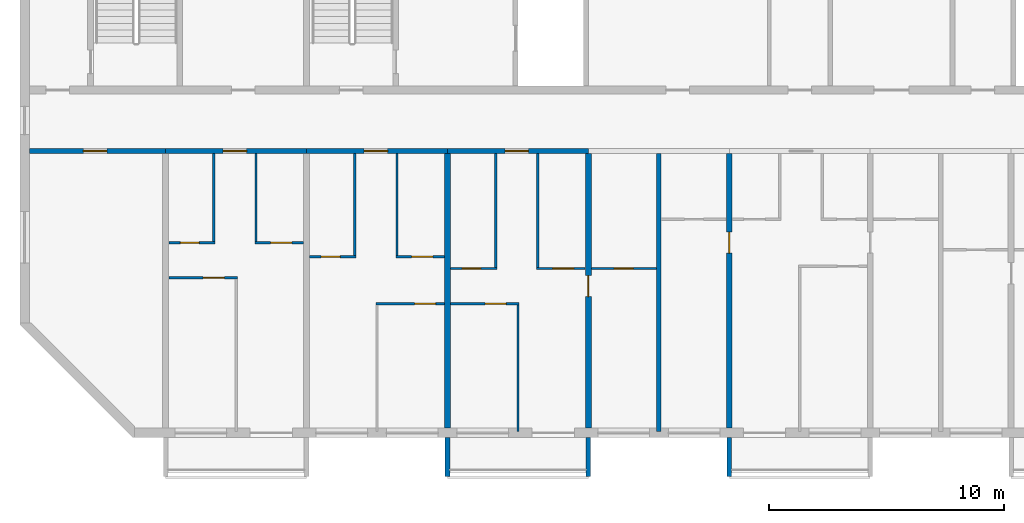
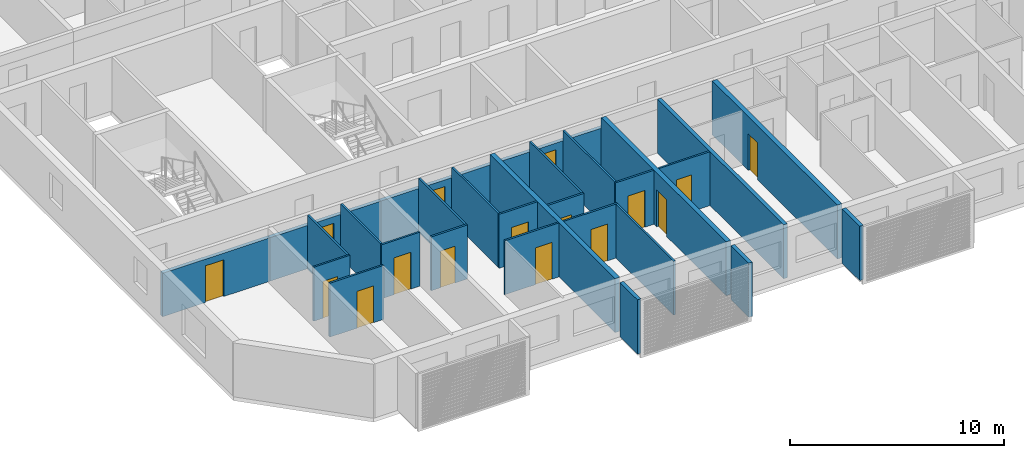
# One storey, part 2 of 26: 28 walls, 16 doors, 16 openings.
"""IFC4 building model written with IfcOpenShell, lengths in metres."""

import ifcopenshell
import ifcopenshell.guid

model = None  # the IFC model being written
_history = None  # IfcOwnerHistory: only IFC2X3 demands one
_inside = {}  # id of a spatial element -> (the spatial element, [elements in it])
_under = {}  # id of a project, library or spatial element -> (it, [spatial elements below it])
_declared = {}  # id of a project -> (the project, [libraries it declares])
_typed = {}  # id of a type object -> (the type object, [elements of that type])
_made_of = {}  # id of a material, layer set ... -> (it, [elements and type objects made of it])


def new_model(schema):
    """Start an empty IFC model of exactly this schema.

    Asked for "IFC4X3", IfcOpenShell would pick the latest addendum, in which some entities
    have other attributes; the version numbers below select the first issue.
    IFC2X3 requires an IfcOwnerHistory on every rooted entity: one is made here for all.
    """
    global model, _history
    if schema == "IFC4X3":
        model = ifcopenshell.file(schema_version=(4, 3, 0, 0))
    else:
        model = ifcopenshell.file(schema=schema)
    _inside.clear()
    _under.clear()
    _declared.clear()
    _typed.clear()
    _made_of.clear()
    _history = None
    if model.schema == "IFC2X3":
        org = make("IfcOrganization", Name="unknown")
        user = make(
            "IfcPersonAndOrganization",
            ThePerson=make("IfcPerson", FamilyName="unknown"),
            TheOrganization=org,
        )
        app = make(
            "IfcApplication",
            ApplicationDeveloper=org,
            Version="unknown",
            ApplicationFullName="unknown",
            ApplicationIdentifier="unknown",
        )
        _history = make(
            "IfcOwnerHistory",
            OwningUser=user,
            OwningApplication=app,
            ChangeAction="ADDED",
            CreationDate=0,
        )
    return model


def make(cls, **values):
    """One entity of the class cls with the attributes given. An attribute that is None is left unset."""
    return model.create_entity(
        cls, **{name: value for name, value in values.items() if value is not None}
    )


def rooted(cls, **values):
    """An entity with a GlobalId (a new one), such as an element, a storey or a relation."""
    return make(cls, GlobalId=ifcopenshell.guid.new(), OwnerHistory=_history, **values)


def si_unit(unit_type, name, prefix=None):
    """IfcSIUnit, for example si_unit("LENGTHUNIT", "METRE", prefix="MILLI")."""
    return make("IfcSIUnit", UnitType=unit_type, Prefix=prefix, Name=name)


def assignment(units):
    """IfcUnitAssignment: the units of a project."""
    return None if units is None else make("IfcUnitAssignment", Units=units)


def point(xyz):
    """IfcCartesianPoint."""
    return None if xyz is None else make("IfcCartesianPoint", Coordinates=xyz)


def direction(xyz):
    """IfcDirection."""
    return None if xyz is None else make("IfcDirection", DirectionRatios=xyz)


def frame(location, z_axis=None, x_axis=None):
    """IfcAxis2Placement3D, a coordinate frame: its origin and axes. An axis left out is left unset."""
    return make(
        "IfcAxis2Placement3D",
        Location=point(location),
        Axis=direction(z_axis),
        RefDirection=direction(x_axis),
    )


def frame_2d(location, x_axis=None):
    """IfcAxis2Placement2D, a coordinate frame in the plane: its origin and x axis."""
    return make(
        "IfcAxis2Placement2D", Location=point(location), RefDirection=direction(x_axis)
    )


def origin():
    """The frame at (0, 0, 0) with its axes left unset."""
    return frame((0.0, 0.0, 0.0))


def place(relative_to, where):
    """IfcLocalPlacement: puts the frame where relative to a parent placement (None: the world)."""
    return make(
        "IfcLocalPlacement", PlacementRelTo=relative_to, RelativePlacement=where
    )


def context(
    kind, dimensions, precision=None, world=None, true_north=None, identifier=None
):
    """IfcGeometricRepresentationContext, for example the 3D "Model" context."""
    return make(
        "IfcGeometricRepresentationContext",
        ContextIdentifier=identifier,
        ContextType=kind,
        CoordinateSpaceDimension=dimensions,
        Precision=precision,
        WorldCoordinateSystem=world,
        TrueNorth=true_north,
    )


def subcontext(parent, identifier, kind, view, scale=None):
    """IfcGeometricRepresentationSubContext, for example "Body" below "Model"."""
    return make(
        "IfcGeometricRepresentationSubContext",
        ContextIdentifier=identifier,
        ContextType=kind,
        ParentContext=parent,
        TargetScale=scale,
        TargetView=view,
    )


def project(units=None, contexts=None):
    """IfcProject with its units and contexts."""
    return rooted(
        "IfcProject",
        Name="project",
        RepresentationContexts=contexts,
        UnitsInContext=assignment(units),
    )


def spatial(cls, under=None, at=None, **own):
    """A site, building, storey or space (cls), placed at a placement, below another one or the project."""
    s = rooted(cls, ObjectPlacement=at, **own)
    if under is not None:
        _under.setdefault(under.id(), (under, []))[1].append(s)
    return s


def polyline(points):
    """IfcPolyline through the points."""
    return make("IfcPolyline", Points=[point(p) for p in points])


def profile(cls, at=None, kind="AREA", **sizes):
    """A parametric profile (cls). Its sizes go by their IFC names, for example OverallWidth=200.0."""
    return make(cls, ProfileType=kind, Position=at, **sizes)


def rectangle(**sizes):
    """IfcRectangleProfileDef."""
    return profile("IfcRectangleProfileDef", **sizes)


def outline(outer, holes=None, kind="AREA"):
    """IfcArbitraryClosedProfileDef: a profile drawn as a closed curve; with holes, ...WithVoids."""
    if holes is None:
        return make("IfcArbitraryClosedProfileDef", ProfileType=kind, OuterCurve=outer)
    return make(
        "IfcArbitraryProfileDefWithVoids",
        ProfileType=kind,
        OuterCurve=outer,
        InnerCurves=holes,
    )


def extrude(swept, where, along, depth):
    """IfcExtrudedAreaSolid: the profile swept, set in the frame where, extruded along a direction by depth."""
    return make(
        "IfcExtrudedAreaSolid",
        SweptArea=swept,
        Position=where,
        ExtrudedDirection=direction(along),
        Depth=depth,
    )


def shape(context_of_items, identifier, shape_type, items):
    """IfcShapeRepresentation: the items that make up one representation, for example the "Body"."""
    return make(
        "IfcShapeRepresentation",
        ContextOfItems=context_of_items,
        RepresentationIdentifier=identifier,
        RepresentationType=shape_type,
        Items=items,
    )


def source(mapping_origin, context_of_items, identifier, shape_type, items):
    """IfcRepresentationMap: a shape defined once, which mapped items show again and again."""
    return make(
        "IfcRepresentationMap",
        MappingOrigin=mapping_origin,
        MappedRepresentation=shape(context_of_items, identifier, shape_type, items),
    )


def transform(
    local_origin,
    x_axis=None,
    y_axis=None,
    z_axis=None,
    scale=None,
    scale2=None,
    scale3=None,
    uniform=True,
):
    """IfcCartesianTransformationOperator3D, or its non-uniform kind. x_axis, y_axis, z_axis: its Axis1, 2, 3."""
    if uniform:
        return make(
            "IfcCartesianTransformationOperator3D",
            Axis1=direction(x_axis),
            Axis2=direction(y_axis),
            LocalOrigin=point(local_origin),
            Scale=scale,
            Axis3=direction(z_axis),
        )
    return make(
        "IfcCartesianTransformationOperator3DnonUniform",
        Axis1=direction(x_axis),
        Axis2=direction(y_axis),
        LocalOrigin=point(local_origin),
        Scale=scale,
        Axis3=direction(z_axis),
        Scale2=scale2,
        Scale3=scale3,
    )


def mapped(mapping_source, mapping_target):
    """IfcMappedItem: shows the shape of a source again, moved by a transform."""
    return make(
        "IfcMappedItem", MappingSource=mapping_source, MappingTarget=mapping_target
    )


def material(Name=None, Category=None):
    """IfcMaterial."""
    return make("IfcMaterial", Name=Name, Category=Category)


def layer(
    of_material, thickness, ventilated=None, Name=None, Category=None, Priority=None
):
    """IfcMaterialLayer: one layer of a wall or slab, of a material (None: an air gap)."""
    return make(
        "IfcMaterialLayer",
        Material=of_material,
        LayerThickness=thickness,
        IsVentilated=ventilated,
        Name=Name,
        Category=Category,
        Priority=Priority,
    )


def layer_set(layers, Name=None):
    """IfcMaterialLayerSet."""
    return make("IfcMaterialLayerSet", MaterialLayers=layers, LayerSetName=Name)


def made_of(thing, what):
    """Note that an element or type object is made of a material, layer set ...; save() writes the relation."""
    if what is not None:
        _made_of.setdefault(what.id(), (what, []))[1].append(thing)
    return thing


def type_object(cls, material=None, **own):
    """A type object (cls), such as IfcWallType, which elements share."""
    return made_of(rooted(cls, **own), material)


def element(
    cls,
    number,
    at=None,
    inside=None,
    cuts=None,
    type_object=None,
    material=None,
    context=None,
    identifier="Body",
    shape_type=None,
    held_by="IfcProductDefinitionShape",
    body=None,
    shapes=None,
    **own,
):
    """One element of the class cls, such as IfcWall. Its Tag is "e" and its number.

    at: its placement. inside: the storey or other place that contains it. cuts: it is an
    opening in that element (IfcRelVoidsElement). A single representation is given by context,
    identifier, shape_type and body (its items); several are given by shapes. held_by: the class
    of the entity that holds the representations. save() writes the other relations.
    """
    e = rooted(cls, Tag="e%d" % number, ObjectPlacement=at, **own)
    if body is not None:
        shapes = [shape(context, identifier, shape_type, body)]
    if shapes is not None:
        e.Representation = make(held_by, Representations=shapes)
    if inside is not None:
        _inside.setdefault(inside.id(), (inside, []))[1].append(e)
    if cuts is not None:
        rooted(
            "IfcRelVoidsElement", RelatingBuildingElement=cuts, RelatedOpeningElement=e
        )
    if type_object is not None:
        _typed.setdefault(type_object.id(), (type_object, []))[1].append(e)
    return made_of(e, material)


def fill(opening, filler):
    """IfcRelFillsElement: the door or window that sits in an opening."""
    return rooted(
        "IfcRelFillsElement",
        RelatingOpeningElement=opening,
        RelatedBuildingElement=filler,
    )


def aggregate(whole, parts):
    """IfcRelAggregates: a whole, such as a stair, and the parts it consists of."""
    return rooted("IfcRelAggregates", RelatingObject=whole, RelatedObjects=parts)


def save(model, path):
    """Write the relations noted so far, then the file.

    IfcRelAggregates (storeys below a building ...), IfcRelContainedInSpatialStructure (elements
    in a storey), IfcRelDefinesByType, IfcRelAssociatesMaterial and IfcRelDeclares: one each for
    every whole, place, type object, material and project.
    """
    for whole, parts in _under.values():
        aggregate(whole, parts)
    for where, things in _inside.values():
        rooted(
            "IfcRelContainedInSpatialStructure",
            RelatedElements=things,
            RelatingStructure=where,
        )
    for kind, things in _typed.values():
        rooted("IfcRelDefinesByType", RelatedObjects=things, RelatingType=kind)
    for what, things in _made_of.values():
        rooted("IfcRelAssociatesMaterial", RelatedObjects=things, RelatingMaterial=what)
    for by, libraries in _declared.values():
        rooted("IfcRelDeclares", RelatingContext=by, RelatedDefinitions=libraries)
    model.write(path)


model = new_model("IFC4")

# Units and contexts
model_context = context("Model", 3, precision=1e-05, world=origin(), true_north=direction((0.0, 1.0)))
body_context = subcontext(model_context, "Body", "Model", "MODEL_VIEW")
ifc_project = project(units=[si_unit("LENGTHUNIT", "METRE"), si_unit("AREAUNIT", "SQUARE_METRE"), si_unit("VOLUMEUNIT", "CUBIC_METRE"), si_unit("PLANEANGLEUNIT", "RADIAN"), si_unit("MASSUNIT", "GRAM", prefix="KILO")], contexts=[model_context])

# Site, building, storey
site_placement = place(None, origin())
site = spatial("IfcSite", under=ifc_project, at=site_placement, CompositionType="ELEMENT")
building_placement = place(site_placement, origin())
building = spatial("IfcBuilding", under=site, at=building_placement, Name="Poui Terraces", CompositionType="ELEMENT")
storey_placement = place(building_placement, frame((0.0, 0.0, 224.699951171875)))
storey = spatial("IfcBuildingStorey", under=building, at=storey_placement, Name="L62", CompositionType="ELEMENT", Elevation=224.699951171875)

# Wall, opening, door
ifc_material_1 = material(Name="Concrete 50 MPa", Category="concrete")
ifc_layer_1 = layer(ifc_material_1, 0.199951171875)
ifc_layer_set_1 = layer_set([ifc_layer_1], Name="Concrete 50 MPa")
wall_type_1 = type_object("IfcWallType", Name="CORRIDOR WALL 200 50MPa", PredefinedType="SHEAR", material=ifc_layer_set_1)
wall_1_placement = place(storey_placement, frame((18.199951171875, 12.0, 0.0), z_axis=(0.0, 0.0, 1.0), x_axis=(1.0, 0.0, 0.0)))
wall_1 = element("IfcWall", 1, at=wall_1_placement, inside=storey, type_object=wall_type_1, Name="CORRIDOR WALL LINE B BAY 1", PredefinedType="SHEAR", context=body_context, shape_type="SweptSolid", body=[
    extrude(rectangle(XDim=5.800048828125, YDim=0.199951171875, at=frame_2d((2.89990234375, 0.0))), origin(), (0.0, 0.0, 1.0), 2.47998046875),
])
opening_1_placement = place(wall_1_placement, frame((2.300048828125, 0.0, 0.0)))
opening_1 = element("IfcOpeningElement", 2, at=opening_1_placement, cuts=wall_1, Name="Opening D100", PredefinedType="OPENING", context=body_context, shape_type="SweptSolid", body=[
    extrude(rectangle(XDim=1.0, YDim=2.10009765625, at=frame_2d((0.5, 1.050048828125))), frame((0.0, 0.10986328125, 0.0), z_axis=(0.0, -1.0, 0.0), x_axis=(1.0, 0.0, 0.0)), (0.0, 0.0, 1.0), 0.219970703125),
])
ifc_material_2 = material(Name="Solid core timber door", Category="wood")
door_type_1 = type_object("IfcDoorType", Name="ACCESSIBLE INTERNAL DOOR 1000 X 2100", OperationType="NOTDEFINED", PredefinedType="DOOR", material=ifc_material_2)
door_1_placement = place(opening_1_placement, frame((1.0, 0.0, 0.0), z_axis=(0.0, 0.0, 1.0), x_axis=(-1.0, 0.0, 0.0)))
door_1 = element("IfcDoor", 3, at=door_1_placement, inside=storey, type_object=door_type_1, Name="ACCESSIBLE INTERNAL DOOR 058", OperationType="SINGLE_SWING_RIGHT", OverallHeight=2.10009765625, OverallWidth=1.0, PredefinedType="DOOR", context=body_context, shape_type="SweptSolid", body=[
    extrude(rectangle(XDim=1.0, YDim=2.10009765625, at=frame_2d((0.5, 1.050048828125))), frame((0.0, 0.02490234375, 0.0), z_axis=(0.0, -1.0, 0.0), x_axis=(1.0, 0.0, 0.0)), (0.0, 0.0, 1.0), 0.050048828125),
])
fill(opening_1, door_1)

wall_2_placement = place(storey_placement, frame((24.0, 12.0, 0.0), z_axis=(0.0, 0.0, 1.0), x_axis=(1.0, 0.0, 0.0)))
wall_2 = element("IfcWall", 4, at=wall_2_placement, inside=storey, type_object=wall_type_1, Name="CORRIDOR WALL LINE B BAY 2", PredefinedType="SHEAR", context=body_context, shape_type="SweptSolid", body=[
    extrude(rectangle(XDim=6.0, YDim=0.199951171875, at=frame_2d((3.0, 0.0))), origin(), (0.0, 0.0, 1.0), 2.47998046875),
])
opening_2_placement = place(wall_2_placement, frame((2.449951171875, 0.0, 0.0)))
opening_2 = element("IfcOpeningElement", 5, at=opening_2_placement, cuts=wall_2, Name="Opening FD30S", PredefinedType="OPENING", context=body_context, shape_type="SweptSolid", body=[
    extrude(rectangle(XDim=1.0, YDim=2.10009765625, at=frame_2d((0.5, 1.050048828125))), frame((0.0, 0.10986328125, 0.0), z_axis=(0.0, -1.0, 0.0), x_axis=(1.0, 0.0, 0.0)), (0.0, 0.0, 1.0), 0.219970703125),
])
ifc_material_3 = material(Name="Steel fire door", Category="steel")
door_type_2 = type_object("IfcDoorType", Name="FLAT ENTRANCE DOOR 1000 X 2100", OperationType="NOTDEFINED", PredefinedType="DOOR", material=ifc_material_3)
door_2_placement = place(opening_2_placement, frame((1.0, 0.0, 0.0), z_axis=(0.0, 0.0, 1.0), x_axis=(-1.0, 0.0, 0.0)))
door_2 = element("IfcDoor", 6, at=door_2_placement, inside=storey, type_object=door_type_2, Name="FLAT ENTRANCE DOOR 061", OperationType="SINGLE_SWING_RIGHT", OverallHeight=2.10009765625, OverallWidth=1.0, PredefinedType="DOOR", context=body_context, shape_type="SweptSolid", body=[
    extrude(rectangle(XDim=1.0, YDim=2.10009765625, at=frame_2d((0.5, 1.050048828125))), frame((0.0, 0.02490234375, 0.0), z_axis=(0.0, -1.0, 0.0), x_axis=(1.0, 0.0, 0.0)), (0.0, 0.0, 1.0), 0.050048828125),
])
fill(opening_2, door_2)

wall_3_placement = place(storey_placement, frame((30.0, 12.0, 0.0), z_axis=(0.0, 0.0, 1.0), x_axis=(1.0, 0.0, 0.0)))
wall_3 = element("IfcWall", 7, at=wall_3_placement, inside=storey, type_object=wall_type_1, Name="CORRIDOR WALL LINE B BAY 3", PredefinedType="SHEAR", context=body_context, shape_type="SweptSolid", body=[
    extrude(rectangle(XDim=6.0, YDim=0.199951171875, at=frame_2d((3.0, 0.0))), origin(), (0.0, 0.0, 1.0), 2.47998046875),
])
opening_3_placement = place(wall_3_placement, frame((2.449951171875, 0.0, 0.0)))
opening_3 = element("IfcOpeningElement", 8, at=opening_3_placement, cuts=wall_3, Name="Opening FD30S", PredefinedType="OPENING", context=body_context, shape_type="SweptSolid", body=[
    extrude(rectangle(XDim=1.0, YDim=2.10009765625, at=frame_2d((0.5, 1.050048828125))), frame((0.0, 0.10986328125, 0.0), z_axis=(0.0, -1.0, 0.0), x_axis=(1.0, 0.0, 0.0)), (0.0, 0.0, 1.0), 0.219970703125),
])
door_3_placement = place(opening_3_placement, frame((1.0, 0.0, 0.0), z_axis=(0.0, 0.0, 1.0), x_axis=(-1.0, 0.0, 0.0)))
door_3 = element("IfcDoor", 9, at=door_3_placement, inside=storey, type_object=door_type_2, Name="FLAT ENTRANCE DOOR 064", OperationType="SINGLE_SWING_RIGHT", OverallHeight=2.10009765625, OverallWidth=1.0, PredefinedType="DOOR", context=body_context, shape_type="SweptSolid", body=[
    extrude(rectangle(XDim=1.0, YDim=2.10009765625, at=frame_2d((0.5, 1.050048828125))), frame((0.0, 0.02490234375, 0.0), z_axis=(0.0, -1.0, 0.0), x_axis=(1.0, 0.0, 0.0)), (0.0, 0.0, 1.0), 0.050048828125),
])
fill(opening_3, door_3)

wall_4_placement = place(storey_placement, frame((36.0, 12.0, 0.0), z_axis=(0.0, 0.0, 1.0), x_axis=(1.0, 0.0, 0.0)))
wall_4 = element("IfcWall", 10, at=wall_4_placement, inside=storey, type_object=wall_type_1, Name="CORRIDOR WALL LINE B BAY 4", PredefinedType="SHEAR", context=body_context, shape_type="SweptSolid", body=[
    extrude(rectangle(XDim=6.0, YDim=0.199951171875, at=frame_2d((3.0, 0.0))), origin(), (0.0, 0.0, 1.0), 2.47998046875),
])
opening_4_placement = place(wall_4_placement, frame((2.449951171875, 0.0, 0.0)))
opening_4 = element("IfcOpeningElement", 11, at=opening_4_placement, cuts=wall_4, Name="Opening FD30S", PredefinedType="OPENING", context=body_context, shape_type="SweptSolid", body=[
    extrude(rectangle(XDim=1.0, YDim=2.10009765625, at=frame_2d((0.5, 1.050048828125))), frame((0.0, 0.10986328125, 0.0), z_axis=(0.0, -1.0, 0.0), x_axis=(1.0, 0.0, 0.0)), (0.0, 0.0, 1.0), 0.219970703125),
])
door_4_placement = place(opening_4_placement, frame((1.0, 0.0, 0.0), z_axis=(0.0, 0.0, 1.0), x_axis=(-1.0, 0.0, 0.0)))
door_4 = element("IfcDoor", 12, at=door_4_placement, inside=storey, type_object=door_type_2, Name="FLAT ENTRANCE DOOR 070", OperationType="SINGLE_SWING_RIGHT", OverallHeight=2.10009765625, OverallWidth=1.0, PredefinedType="DOOR", context=body_context, shape_type="SweptSolid", body=[
    extrude(rectangle(XDim=1.0, YDim=2.10009765625, at=frame_2d((0.5, 1.050048828125))), frame((0.0, 0.02490234375, 0.0), z_axis=(0.0, -1.0, 0.0), x_axis=(1.0, 0.0, 0.0)), (0.0, 0.0, 1.0), 0.050048828125),
])
fill(opening_4, door_4)

# Wall
ifc_layer_2 = layer(ifc_material_1, 0.25)
ifc_layer_set_2 = layer_set([ifc_layer_2], Name="Concrete 50 MPa")
wall_type_2 = type_object("IfcWallType", Name="CROSS WALL 250 50MPa", PredefinedType="SHEAR", material=ifc_layer_set_2)
wall_5_placement = place(storey_placement, frame((36.0, 0.199951171875, 0.0), z_axis=(0.0, 0.0, 1.0), x_axis=(0.0, 1.0, 0.0)))
element("IfcWall", 13, at=wall_5_placement, inside=storey, type_object=wall_type_2, Name="CROSS WALL LINE 7 SOUTH", PredefinedType="SHEAR", context=body_context, shape_type="SweptSolid", body=[
    extrude(rectangle(XDim=11.699951171875, YDim=0.25, at=frame_2d((5.85009765625, 0.0))), origin(), (0.0, 0.0, 1.0), 3.080078125),
])

# Wall, opening, door
wall_6_placement = place(storey_placement, frame((42.0, 0.199951171875, 0.0), z_axis=(0.0, 0.0, 1.0), x_axis=(0.0, 1.0, 0.0)))
wall_6 = element("IfcWall", 14, at=wall_6_placement, inside=storey, type_object=wall_type_2, Name="CROSS WALL LINE 8 SOUTH", PredefinedType="SHEAR", context=body_context, shape_type="SweptSolid", body=[
    extrude(rectangle(XDim=11.699951171875, YDim=0.25, at=frame_2d((5.85009765625, 0.0))), origin(), (0.0, 0.0, 1.0), 3.080078125),
])
opening_5_placement = place(wall_6_placement, frame((5.60009765625, 0.0, 0.0)))
opening_5 = element("IfcOpeningElement", 15, at=opening_5_placement, cuts=wall_6, Name="Opening D90", PredefinedType="OPENING", context=body_context, shape_type="SweptSolid", body=[
    extrude(rectangle(XDim=0.89990234375, YDim=2.10009765625, at=frame_2d((0.449951171875, 1.050048828125))), frame((0.0, 0.135009765625, 0.0), z_axis=(0.0, -1.0, 0.0), x_axis=(1.0, 0.0, 0.0)), (0.0, 0.0, 1.0), 0.27001953125),
])
door_type_3 = type_object("IfcDoorType", Name="INTERNAL DOOR 900 X 2100", OperationType="NOTDEFINED", PredefinedType="DOOR", material=ifc_material_2)
door_5_placement = place(opening_5_placement, frame((0.89990234375, 0.0, 0.0), z_axis=(0.0, 0.0, 1.0), x_axis=(-1.0, 0.0, 0.0)))
door_5 = element("IfcDoor", 16, at=door_5_placement, inside=storey, type_object=door_type_3, Name="INTERNAL DOOR 072", OperationType="SINGLE_SWING_LEFT", OverallHeight=2.10009765625, OverallWidth=0.89990234375, PredefinedType="DOOR", context=body_context, shape_type="SweptSolid", body=[
    extrude(rectangle(XDim=0.89990234375, YDim=2.10009765625, at=frame_2d((0.449951171875, 1.050048828125))), frame((0.0, 0.02490234375, 0.0), z_axis=(0.0, -1.0, 0.0), x_axis=(1.0, 0.0, 0.0)), (0.0, 0.0, 1.0), 0.050048828125),
])
fill(opening_5, door_5)

wall_7_placement = place(storey_placement, frame((48.0, 0.199951171875, 0.0), z_axis=(0.0, 0.0, 1.0), x_axis=(0.0, 1.0, 0.0)))
wall_7 = element("IfcWall", 17, at=wall_7_placement, inside=storey, type_object=wall_type_2, Name="CROSS WALL LINE 9 SOUTH", PredefinedType="SHEAR", context=body_context, shape_type="SweptSolid", body=[
    extrude(rectangle(XDim=11.699951171875, YDim=0.25, at=frame_2d((5.85009765625, 0.0))), origin(), (0.0, 0.0, 1.0), 3.080078125),
])
opening_6_placement = place(wall_7_placement, frame((7.449951171875, 0.0, 0.0)))
opening_6 = element("IfcOpeningElement", 18, at=opening_6_placement, cuts=wall_7, Name="Opening D90", PredefinedType="OPENING", context=body_context, shape_type="SweptSolid", body=[
    extrude(rectangle(XDim=0.89990234375, YDim=2.10009765625, at=frame_2d((0.449951171875, 1.050048828125))), frame((0.0, 0.135009765625, 0.0), z_axis=(0.0, -1.0, 0.0), x_axis=(1.0, 0.0, 0.0)), (0.0, 0.0, 1.0), 0.27001953125),
])
door_6_placement = place(opening_6_placement, origin())
door_6 = element("IfcDoor", 19, at=door_6_placement, inside=storey, type_object=door_type_3, Name="INTERNAL DOOR 075", OperationType="SINGLE_SWING_RIGHT", OverallHeight=2.10009765625, OverallWidth=0.89990234375, PredefinedType="DOOR", context=body_context, shape_type="SweptSolid", body=[
    extrude(rectangle(XDim=0.89990234375, YDim=2.10009765625, at=frame_2d((0.449951171875, 1.050048828125))), frame((0.0, 0.02490234375, 0.0), z_axis=(0.0, -1.0, 0.0), x_axis=(1.0, 0.0, 0.0)), (0.0, 0.0, 1.0), 0.050048828125),
])
fill(opening_6, door_6)

ifc_material_4 = material(Name="Plasterboard partition")
ifc_layer_3 = layer(ifc_material_4, 0.10009765625)
ifc_layer_set_3 = layer_set([ifc_layer_3], Name="Plasterboard partition")
wall_type_3 = type_object("IfcWallType", Name="FLAT PARTITION 100", PredefinedType="PARTITIONING", material=ifc_layer_set_3)
wall_8_placement = place(storey_placement, frame((32.949951171875, 5.5, 0.0), z_axis=(0.0, 0.0, 1.0), x_axis=(1.0, 0.0, 0.0)))
wall_8 = element("IfcWall", 20, at=wall_8_placement, inside=storey, type_object=wall_type_3, Name="FLAT PARTITION 100", PredefinedType="PARTITIONING", context=body_context, shape_type="SweptSolid", body=[
    extrude(rectangle(XDim=2.9150390625, YDim=0.10009765625, at=frame_2d((1.45751953125, 0.0))), origin(), (0.0, 0.0, 1.0), 3.080078125),
])
opening_7_placement = place(wall_8_placement, frame((1.64990234375, 0.0, 0.0)))
opening_7 = element("IfcOpeningElement", 21, at=opening_7_placement, cuts=wall_8, Name="Opening D90", PredefinedType="OPENING", context=body_context, shape_type="SweptSolid", body=[
    extrude(rectangle(XDim=0.89990234375, YDim=2.10009765625, at=frame_2d((0.449951171875, 1.050048828125))), frame((0.0, 0.06005859375, 0.0), z_axis=(0.0, -1.0, 0.0), x_axis=(1.0, 0.0, 0.0)), (0.0, 0.0, 1.0), 0.1201171875),
])
door_7_placement = place(opening_7_placement, frame((0.89990234375, 0.0, 0.0), z_axis=(0.0, 0.0, 1.0), x_axis=(-1.0, 0.0, 0.0)))
door_7 = element("IfcDoor", 22, at=door_7_placement, inside=storey, type_object=door_type_3, Name="INTERNAL DOOR 066", OperationType="SINGLE_SWING_LEFT", OverallHeight=2.10009765625, OverallWidth=0.89990234375, PredefinedType="DOOR", context=body_context, shape_type="SweptSolid", body=[
    extrude(rectangle(XDim=0.89990234375, YDim=2.10009765625, at=frame_2d((0.449951171875, 1.050048828125))), frame((0.0, 0.02490234375, 0.0), z_axis=(0.0, -1.0, 0.0), x_axis=(1.0, 0.0, 0.0)), (0.0, 0.0, 1.0), 0.050048828125),
])
fill(opening_7, door_7)

wall_9_placement = place(storey_placement, frame((36.135009765625, 5.5, 0.0), z_axis=(0.0, 0.0, 1.0), x_axis=(1.0, 0.0, 0.0)))
wall_9 = element("IfcWall", 23, at=wall_9_placement, inside=storey, type_object=wall_type_3, Name="FLAT PARTITION 100", PredefinedType="PARTITIONING", context=body_context, shape_type="SweptSolid", body=[
    extrude(rectangle(XDim=2.9150390625, YDim=0.10009765625, at=frame_2d((1.45751953125, 0.0))), origin(), (0.0, 0.0, 1.0), 3.080078125),
])
opening_8_placement = place(wall_9_placement, frame((1.465087890625, 0.0, 0.0)))
opening_8 = element("IfcOpeningElement", 24, at=opening_8_placement, cuts=wall_9, Name="Opening D90", PredefinedType="OPENING", context=body_context, shape_type="SweptSolid", body=[
    extrude(rectangle(XDim=0.89990234375, YDim=2.10009765625, at=frame_2d((0.449951171875, 1.050048828125))), frame((0.0, 0.06005859375, 0.0), z_axis=(0.0, -1.0, 0.0), x_axis=(1.0, 0.0, 0.0)), (0.0, 0.0, 1.0), 0.1201171875),
])
door_8_placement = place(opening_8_placement, origin())
door_8 = element("IfcDoor", 25, at=door_8_placement, inside=storey, type_object=door_type_3, Name="INTERNAL DOOR 069", OperationType="SINGLE_SWING_LEFT", OverallHeight=2.10009765625, OverallWidth=0.89990234375, PredefinedType="DOOR", context=body_context, shape_type="SweptSolid", body=[
    extrude(rectangle(XDim=0.89990234375, YDim=2.10009765625, at=frame_2d((0.449951171875, 1.050048828125))), frame((0.0, 0.02490234375, 0.0), z_axis=(0.0, -1.0, 0.0), x_axis=(1.0, 0.0, 0.0)), (0.0, 0.0, 1.0), 0.050048828125),
])
fill(opening_8, door_8)

wall_10_placement = place(storey_placement, frame((24.135009765625, 6.60009765625, 0.0), z_axis=(0.0, 0.0, 1.0), x_axis=(1.0, 0.0, 0.0)))
wall_10 = element("IfcWall", 26, at=wall_10_placement, inside=storey, type_object=wall_type_3, Name="FLAT PARTITION 100", PredefinedType="PARTITIONING", context=body_context, shape_type="SweptSolid", body=[
    extrude(rectangle(XDim=2.9150390625, YDim=0.10009765625, at=frame_2d((1.45751953125, 0.0))), origin(), (0.0, 0.0, 1.0), 3.080078125),
])
opening_9_placement = place(wall_10_placement, frame((1.465087890625, 0.0, 0.0)))
opening_9 = element("IfcOpeningElement", 27, at=opening_9_placement, cuts=wall_10, Name="Opening D90", PredefinedType="OPENING", context=body_context, shape_type="SweptSolid", body=[
    extrude(rectangle(XDim=0.89990234375, YDim=2.10009765625, at=frame_2d((0.449951171875, 1.050048828125))), frame((0.0, 0.06005859375, 0.0), z_axis=(0.0, -1.0, 0.0), x_axis=(1.0, 0.0, 0.0)), (0.0, 0.0, 1.0), 0.1201171875),
])
door_9_placement = place(opening_9_placement, origin())
door_9 = element("IfcDoor", 28, at=door_9_placement, inside=storey, type_object=door_type_3, Name="INTERNAL DOOR 060", OperationType="SINGLE_SWING_LEFT", OverallHeight=2.10009765625, OverallWidth=0.89990234375, PredefinedType="DOOR", context=body_context, shape_type="SweptSolid", body=[
    extrude(rectangle(XDim=0.89990234375, YDim=2.10009765625, at=frame_2d((0.449951171875, 1.050048828125))), frame((0.0, 0.02490234375, 0.0), z_axis=(0.0, -1.0, 0.0), x_axis=(1.0, 0.0, 0.0)), (0.0, 0.0, 1.0), 0.050048828125),
])
fill(opening_9, door_9)

wall_11_placement = place(storey_placement, frame((36.135009765625, 7.0, 0.0), z_axis=(0.0, 0.0, 1.0), x_axis=(1.0, 0.0, 0.0)))
wall_11 = element("IfcWall", 29, at=wall_11_placement, inside=storey, type_object=wall_type_3, Name="FLAT PARTITION 100", PredefinedType="PARTITIONING", context=body_context, shape_type="SweptSolid", body=[
    extrude(rectangle(XDim=1.965087890625, YDim=0.10009765625, at=frame_2d((0.982421875, 0.0))), origin(), (0.0, 0.0, 1.0), 3.080078125),
])
opening_10_placement = place(wall_11_placement, frame((0.489990234375, 0.0, 0.0)))
opening_10 = element("IfcOpeningElement", 30, at=opening_10_placement, cuts=wall_11, Name="Opening D80", PredefinedType="OPENING", context=body_context, shape_type="SweptSolid", body=[
    extrude(rectangle(XDim=0.800048828125, YDim=2.10009765625, at=frame_2d((0.39990234375, 1.050048828125))), frame((0.0, 0.06005859375, 0.0), z_axis=(0.0, -1.0, 0.0), x_axis=(1.0, 0.0, 0.0)), (0.0, 0.0, 1.0), 0.1201171875),
])
door_type_4 = type_object("IfcDoorType", Name="BATHROOM, LAUNDRY AND STORE DOOR 800 X 2100", OperationType="NOTDEFINED", PredefinedType="DOOR", material=ifc_material_2)
door_10_placement = place(opening_10_placement, origin())
door_10 = element("IfcDoor", 31, at=door_10_placement, inside=storey, type_object=door_type_4, Name="BATHROOM, LAUNDRY AND STORE DOOR 068", OperationType="SINGLE_SWING_RIGHT", OverallHeight=2.10009765625, OverallWidth=0.800048828125, PredefinedType="DOOR", context=body_context, shape_type="SweptSolid", body=[
    extrude(rectangle(XDim=0.800048828125, YDim=2.10009765625, at=frame_2d((0.39990234375, 1.050048828125))), frame((0.0, 0.02490234375, 0.0), z_axis=(0.0, -1.0, 0.0), x_axis=(1.0, 0.0, 0.0)), (0.0, 0.0, 1.0), 0.050048828125),
])
fill(opening_10, door_10)

wall_12_placement = place(storey_placement, frame((39.800048828125, 7.0, 0.0), z_axis=(0.0, 0.0, 1.0), x_axis=(1.0, 0.0, 0.0)))
wall_12 = element("IfcWall", 32, at=wall_12_placement, inside=storey, type_object=wall_type_3, Name="FLAT PARTITION 100", PredefinedType="PARTITIONING", context=body_context, shape_type="SweptSolid", body=[
    extrude(rectangle(XDim=2.06494140625, YDim=0.10009765625, at=frame_2d((1.032470703125, 0.0))), origin(), (0.0, 0.0, 1.0), 3.080078125),
])
opening_11_placement = place(wall_12_placement, frame((0.675048828125, 0.0, 0.0)))
opening_11 = element("IfcOpeningElement", 33, at=opening_11_placement, cuts=wall_12, Name="Opening D90", PredefinedType="OPENING", context=body_context, shape_type="SweptSolid", body=[
    extrude(rectangle(XDim=0.89990234375, YDim=2.10009765625, at=frame_2d((0.449951171875, 1.050048828125))), frame((0.0, 0.06005859375, 0.0), z_axis=(0.0, -1.0, 0.0), x_axis=(1.0, 0.0, 0.0)), (0.0, 0.0, 1.0), 0.1201171875),
])
door_11_placement = place(opening_11_placement, origin())
door_11 = element("IfcDoor", 34, at=door_11_placement, inside=storey, type_object=door_type_3, Name="INTERNAL DOOR 071", OperationType="SINGLE_SWING_LEFT", OverallHeight=2.10009765625, OverallWidth=0.89990234375, PredefinedType="DOOR", context=body_context, shape_type="SweptSolid", body=[
    extrude(rectangle(XDim=0.89990234375, YDim=2.10009765625, at=frame_2d((0.449951171875, 1.050048828125))), frame((0.0, 0.02490234375, 0.0), z_axis=(0.0, -1.0, 0.0), x_axis=(1.0, 0.0, 0.0)), (0.0, 0.0, 1.0), 0.050048828125),
])
fill(opening_11, door_11)

wall_13_placement = place(storey_placement, frame((42.135009765625, 7.0, 0.0), z_axis=(0.0, 0.0, 1.0), x_axis=(1.0, 0.0, 0.0)))
wall_13 = element("IfcWall", 35, at=wall_13_placement, inside=storey, type_object=wall_type_3, Name="FLAT PARTITION 100", PredefinedType="PARTITIONING", context=body_context, shape_type="SweptSolid", body=[
    extrude(rectangle(XDim=2.764892578125, YDim=0.10009765625, at=frame_2d((1.38232421875, 0.0))), origin(), (0.0, 0.0, 1.0), 3.080078125),
])
opening_12_placement = place(wall_13_placement, frame((0.965087890625, 0.0, 0.0)))
opening_12 = element("IfcOpeningElement", 36, at=opening_12_placement, cuts=wall_13, Name="Opening D80", PredefinedType="OPENING", context=body_context, shape_type="SweptSolid", body=[
    extrude(rectangle(XDim=0.800048828125, YDim=2.10009765625, at=frame_2d((0.39990234375, 1.050048828125))), frame((0.0, 0.06005859375, 0.0), z_axis=(0.0, -1.0, 0.0), x_axis=(1.0, 0.0, 0.0)), (0.0, 0.0, 1.0), 0.1201171875),
])
door_12_placement = place(opening_12_placement, origin())
door_12 = element("IfcDoor", 37, at=door_12_placement, inside=storey, type_object=door_type_4, Name="BATHROOM, LAUNDRY AND STORE DOOR 067", OperationType="SINGLE_SWING_RIGHT", OverallHeight=2.10009765625, OverallWidth=0.800048828125, PredefinedType="DOOR", context=body_context, shape_type="SweptSolid", body=[
    extrude(rectangle(XDim=0.800048828125, YDim=2.10009765625, at=frame_2d((0.39990234375, 1.050048828125))), frame((0.0, 0.02490234375, 0.0), z_axis=(0.0, -1.0, 0.0), x_axis=(1.0, 0.0, 0.0)), (0.0, 0.0, 1.0), 0.050048828125),
])
fill(opening_12, door_12)

wall_14_placement = place(storey_placement, frame((30.135009765625, 7.5, 0.0), z_axis=(0.0, 0.0, 1.0), x_axis=(1.0, 0.0, 0.0)))
wall_14 = element("IfcWall", 38, at=wall_14_placement, inside=storey, type_object=wall_type_3, Name="FLAT PARTITION 100", PredefinedType="PARTITIONING", context=body_context, shape_type="SweptSolid", body=[
    extrude(rectangle(XDim=1.965087890625, YDim=0.10009765625, at=frame_2d((0.982421875, 0.0))), origin(), (0.0, 0.0, 1.0), 3.080078125),
])
opening_13_placement = place(wall_14_placement, frame((0.489990234375, 0.0, 0.0)))
opening_13 = element("IfcOpeningElement", 39, at=opening_13_placement, cuts=wall_14, Name="Opening D80", PredefinedType="OPENING", context=body_context, shape_type="SweptSolid", body=[
    extrude(rectangle(XDim=0.800048828125, YDim=2.10009765625, at=frame_2d((0.39990234375, 1.050048828125))), frame((0.0, 0.06005859375, 0.0), z_axis=(0.0, -1.0, 0.0), x_axis=(1.0, 0.0, 0.0)), (0.0, 0.0, 1.0), 0.1201171875),
])
door_13_placement = place(opening_13_placement, origin())
door_13 = element("IfcDoor", 40, at=door_13_placement, inside=storey, type_object=door_type_4, Name="BATHROOM, LAUNDRY AND STORE DOOR 063", OperationType="SINGLE_SWING_LEFT", OverallHeight=2.10009765625, OverallWidth=0.800048828125, PredefinedType="DOOR", context=body_context, shape_type="SweptSolid", body=[
    extrude(rectangle(XDim=0.800048828125, YDim=2.10009765625, at=frame_2d((0.39990234375, 1.050048828125))), frame((0.0, 0.02490234375, 0.0), z_axis=(0.0, -1.0, 0.0), x_axis=(1.0, 0.0, 0.0)), (0.0, 0.0, 1.0), 0.050048828125),
])
fill(opening_13, door_13)

wall_15_placement = place(storey_placement, frame((33.800048828125, 7.5, 0.0), z_axis=(0.0, 0.0, 1.0), x_axis=(1.0, 0.0, 0.0)))
wall_15 = element("IfcWall", 41, at=wall_15_placement, inside=storey, type_object=wall_type_3, Name="FLAT PARTITION 100", PredefinedType="PARTITIONING", context=body_context, shape_type="SweptSolid", body=[
    extrude(rectangle(XDim=2.06494140625, YDim=0.10009765625, at=frame_2d((1.032470703125, 0.0))), origin(), (0.0, 0.0, 1.0), 3.080078125),
])
opening_14_placement = place(wall_15_placement, frame((0.675048828125, 0.0, 0.0)))
opening_14 = element("IfcOpeningElement", 42, at=opening_14_placement, cuts=wall_15, Name="Opening D90", PredefinedType="OPENING", context=body_context, shape_type="SweptSolid", body=[
    extrude(rectangle(XDim=0.89990234375, YDim=2.10009765625, at=frame_2d((0.449951171875, 1.050048828125))), frame((0.0, 0.06005859375, 0.0), z_axis=(0.0, -1.0, 0.0), x_axis=(1.0, 0.0, 0.0)), (0.0, 0.0, 1.0), 0.1201171875),
])
door_14_placement = place(opening_14_placement, origin())
door_14 = element("IfcDoor", 43, at=door_14_placement, inside=storey, type_object=door_type_3, Name="INTERNAL DOOR 065", OperationType="SINGLE_SWING_RIGHT", OverallHeight=2.10009765625, OverallWidth=0.89990234375, PredefinedType="DOOR", context=body_context, shape_type="SweptSolid", body=[
    extrude(rectangle(XDim=0.89990234375, YDim=2.10009765625, at=frame_2d((0.449951171875, 1.050048828125))), frame((0.0, 0.02490234375, 0.0), z_axis=(0.0, -1.0, 0.0), x_axis=(1.0, 0.0, 0.0)), (0.0, 0.0, 1.0), 0.050048828125),
])
fill(opening_14, door_14)

wall_16_placement = place(storey_placement, frame((24.135009765625, 8.10009765625, 0.0), z_axis=(0.0, 0.0, 1.0), x_axis=(1.0, 0.0, 0.0)))
wall_16 = element("IfcWall", 44, at=wall_16_placement, inside=storey, type_object=wall_type_3, Name="FLAT PARTITION 100", PredefinedType="PARTITIONING", context=body_context, shape_type="SweptSolid", body=[
    extrude(rectangle(XDim=1.965087890625, YDim=0.10009765625, at=frame_2d((0.982421875, 0.0))), origin(), (0.0, 0.0, 1.0), 3.080078125),
])
opening_15_placement = place(wall_16_placement, frame((0.489990234375, 0.0, 0.0)))
opening_15 = element("IfcOpeningElement", 45, at=opening_15_placement, cuts=wall_16, Name="Opening D80", PredefinedType="OPENING", context=body_context, shape_type="SweptSolid", body=[
    extrude(rectangle(XDim=0.800048828125, YDim=2.10009765625, at=frame_2d((0.39990234375, 1.050048828125))), frame((0.0, 0.06005859375, 0.0), z_axis=(0.0, -1.0, 0.0), x_axis=(1.0, 0.0, 0.0)), (0.0, 0.0, 1.0), 0.1201171875),
])
door_15_placement = place(opening_15_placement, origin())
door_15 = element("IfcDoor", 46, at=door_15_placement, inside=storey, type_object=door_type_4, Name="BATHROOM, LAUNDRY AND STORE DOOR 059", OperationType="SINGLE_SWING_RIGHT", OverallHeight=2.10009765625, OverallWidth=0.800048828125, PredefinedType="DOOR", context=body_context, shape_type="SweptSolid", body=[
    extrude(rectangle(XDim=0.800048828125, YDim=2.10009765625, at=frame_2d((0.39990234375, 1.050048828125))), frame((0.0, 0.02490234375, 0.0), z_axis=(0.0, -1.0, 0.0), x_axis=(1.0, 0.0, 0.0)), (0.0, 0.0, 1.0), 0.050048828125),
])
fill(opening_15, door_15)

wall_17_placement = place(storey_placement, frame((27.800048828125, 8.10009765625, 0.0), z_axis=(0.0, 0.0, 1.0), x_axis=(1.0, 0.0, 0.0)))
wall_17 = element("IfcWall", 47, at=wall_17_placement, inside=storey, type_object=wall_type_3, Name="FLAT PARTITION 100", PredefinedType="PARTITIONING", context=body_context, shape_type="SweptSolid", body=[
    extrude(rectangle(XDim=2.06494140625, YDim=0.10009765625, at=frame_2d((1.032470703125, 0.0))), origin(), (0.0, 0.0, 1.0), 3.080078125),
])
opening_16_placement = place(wall_17_placement, frame((0.675048828125, 0.0, 0.0)))
opening_16 = element("IfcOpeningElement", 48, at=opening_16_placement, cuts=wall_17, Name="Opening D90", PredefinedType="OPENING", context=body_context, shape_type="SweptSolid", body=[
    extrude(rectangle(XDim=0.89990234375, YDim=2.10009765625, at=frame_2d((0.449951171875, 1.050048828125))), frame((0.0, 0.06005859375, 0.0), z_axis=(0.0, -1.0, 0.0), x_axis=(1.0, 0.0, 0.0)), (0.0, 0.0, 1.0), 0.1201171875),
])
door_16_placement = place(opening_16_placement, origin())
door_16 = element("IfcDoor", 49, at=door_16_placement, inside=storey, type_object=door_type_3, Name="INTERNAL DOOR 062", OperationType="SINGLE_SWING_LEFT", OverallHeight=2.10009765625, OverallWidth=0.89990234375, PredefinedType="DOOR", context=body_context, shape_type="SweptSolid", body=[
    extrude(rectangle(XDim=0.89990234375, YDim=2.10009765625, at=frame_2d((0.449951171875, 1.050048828125))), frame((0.0, 0.02490234375, 0.0), z_axis=(0.0, -1.0, 0.0), x_axis=(1.0, 0.0, 0.0)), (0.0, 0.0, 1.0), 0.050048828125),
])
fill(opening_16, door_16)

# Walls
for number, where, z_axis, x_axis, name in (
    (50, (26.050048828125, 8.14990234375, 0.0), (0.0, 0.0, 1.0), (0.0, 1.0, 0.0), "FLAT PARTITION 100"),
    (51, (27.85009765625, 8.14990234375, 0.0), (0.0, 0.0, 1.0), (0.0, 1.0, 0.0), "FLAT PARTITION 100"),
):
    element("IfcWall", number, at=place(storey_placement, frame(where, z_axis=z_axis, x_axis=x_axis)), inside=storey, type_object=wall_type_3, Name=name, PredefinedType="PARTITIONING", context=body_context, shape_type="SweptSolid", body=[
        extrude(rectangle(XDim=3.739990234375, YDim=0.10009765625, at=frame_2d((1.8701171875, 0.0))), origin(), (0.0, 0.0, 1.0), 3.080078125),
    ])
for number, where, z_axis, x_axis, name in (
    (52, (32.050048828125, 7.550048828125, 0.0), (0.0, 0.0, 1.0), (0.0, 1.0, 0.0), "FLAT PARTITION 100"),
    (53, (33.85009765625, 7.550048828125, 0.0), (0.0, 0.0, 1.0), (0.0, 1.0, 0.0), "FLAT PARTITION 100"),
):
    element("IfcWall", number, at=place(storey_placement, frame(where, z_axis=z_axis, x_axis=x_axis)), inside=storey, type_object=wall_type_3, Name=name, PredefinedType="PARTITIONING", context=body_context, shape_type="SweptSolid", body=[
        extrude(rectangle(XDim=4.33984375, YDim=0.10009765625, at=frame_2d((2.169921875, 0.0))), origin(), (0.0, 0.0, 1.0), 3.080078125),
    ])
wall_18_placement = place(storey_placement, frame((38.050048828125, 7.050048828125, 0.0), z_axis=(0.0, 0.0, 1.0), x_axis=(0.0, 1.0, 0.0)))
element("IfcWall", 54, at=wall_18_placement, inside=storey, type_object=wall_type_3, Name="FLAT PARTITION 100", PredefinedType="PARTITIONING", context=body_context, shape_type="SweptSolid", body=[
    extrude(rectangle(XDim=4.83984375, YDim=0.10009765625, at=frame_2d((2.419921875, 0.0))), origin(), (0.0, 0.0, 1.0), 3.080078125),
])
wall_19_placement = place(storey_placement, frame((39.0, 0.06005859375, 0.0), z_axis=(0.0, 0.0, 1.0), x_axis=(0.0, 1.0, 0.0)))
element("IfcWall", 55, at=wall_19_placement, inside=storey, type_object=wall_type_3, Name="FLAT PARTITION 100", PredefinedType="PARTITIONING", context=body_context, shape_type="SweptSolid", body=[
    extrude(rectangle(XDim=5.389892578125, YDim=0.10009765625, at=frame_2d((2.69482421875, 0.0))), origin(), (0.0, 0.0, 1.0), 3.080078125),
])
wall_20_placement = place(storey_placement, frame((39.85009765625, 7.050048828125, 0.0), z_axis=(0.0, 0.0, 1.0), x_axis=(0.0, 1.0, 0.0)))
element("IfcWall", 56, at=wall_20_placement, inside=storey, type_object=wall_type_3, Name="FLAT PARTITION 100", PredefinedType="PARTITIONING", context=body_context, shape_type="SweptSolid", body=[
    extrude(rectangle(XDim=4.83984375, YDim=0.10009765625, at=frame_2d((2.419921875, 0.0))), origin(), (0.0, 0.0, 1.0), 3.080078125),
])
ifc_material_5 = material(Name="Fire-rated masonry wall", Category="masonry")
ifc_layer_4 = layer(ifc_material_5, 0.199951171875)
ifc_layer_set_4 = layer_set([ifc_layer_4], Name="Fire-rated masonry wall")
wall_type_4 = type_object("IfcWallType", Name="FLAT PARTY WALL 200", PredefinedType="PARTITIONING", material=ifc_layer_set_4)
wall_21_placement = place(storey_placement, frame((45.0, 0.06005859375, 0.0), z_axis=(0.0, 0.0, 1.0), x_axis=(0.0, 1.0, 0.0)))
element("IfcWall", 57, at=wall_21_placement, inside=storey, type_object=wall_type_4, Name="FLAT PARTY WALL 200", PredefinedType="PARTITIONING", context=body_context, shape_type="SweptSolid", body=[
    extrude(rectangle(XDim=11.829833984375, YDim=0.199951171875, at=frame_2d((5.9150390625, 0.0))), origin(), (0.0, 0.0, 1.0), 3.080078125),
])
ifc_material_6 = material(Name="Precast concrete 40 MPa", Category="concrete")
ifc_layer_5 = layer(ifc_material_6, 0.199951171875)
ifc_layer_set_5 = layer_set([ifc_layer_5], Name="Precast concrete 40 MPa")
wall_type_5 = type_object("IfcWallType", Name="REAR FIN 200", PredefinedType="STANDARD", material=ifc_layer_set_5)
shared_shape = source(origin(), body_context, "Body", "SweptSolid", [
    extrude(outline(polyline([(0.0, 0.0), (0.2001953125, 0.0), (0.2001953125, 1.650146484375), (0.0, 1.650146484375), (0.0, 0.0)])), origin(), (0.0, 0.0, 1.0), 3.10009765625),
])
for number, where, name in (
    (58, (35.89990234375, -1.85009765625, 0.0), "REAR FIN"),
    (59, (41.89990234375, -1.85009765625, 0.0), "REAR FIN"),
    (60, (47.89990234375, -1.85009765625, 0.0), "REAR FIN"),
):
    element("IfcWall", number, at=place(storey_placement, frame(where)), inside=storey, type_object=wall_type_5, Name=name, PredefinedType="STANDARD", context=body_context, shape_type="MappedRepresentation", body=[
        mapped(shared_shape, transform((0.0, 0.0, 0.0))),
    ])

save(model, "model.ifc")
